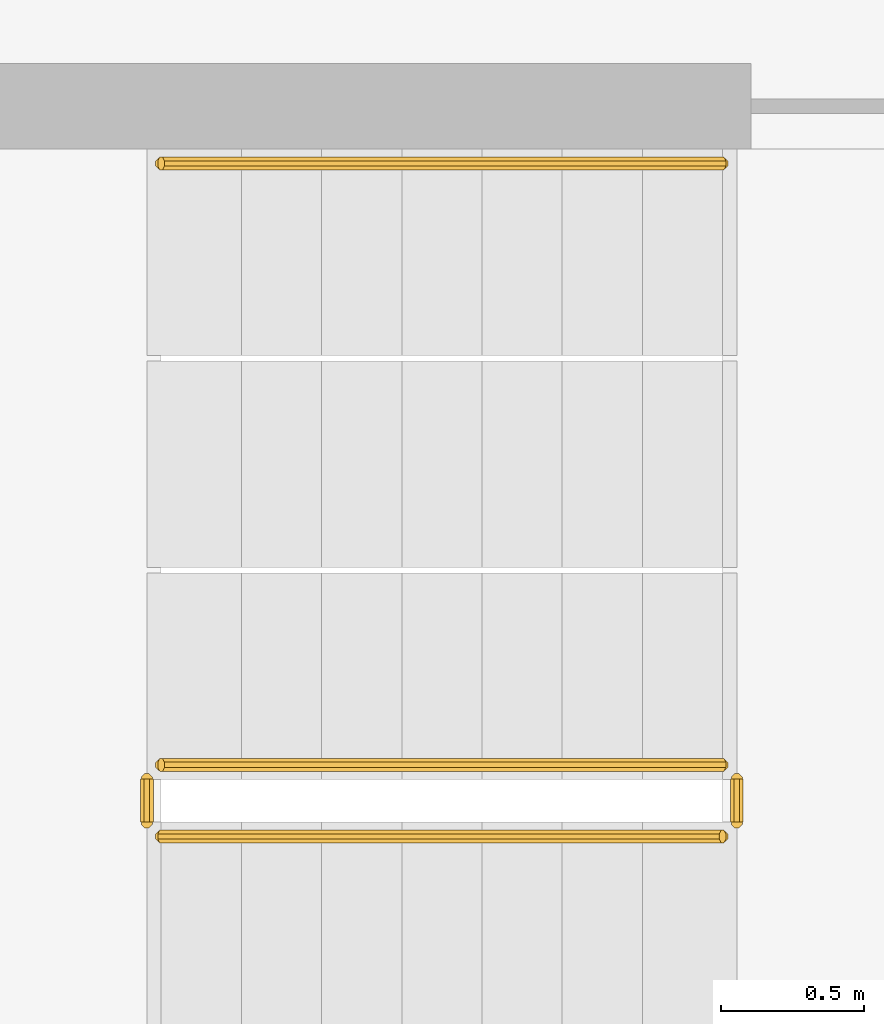
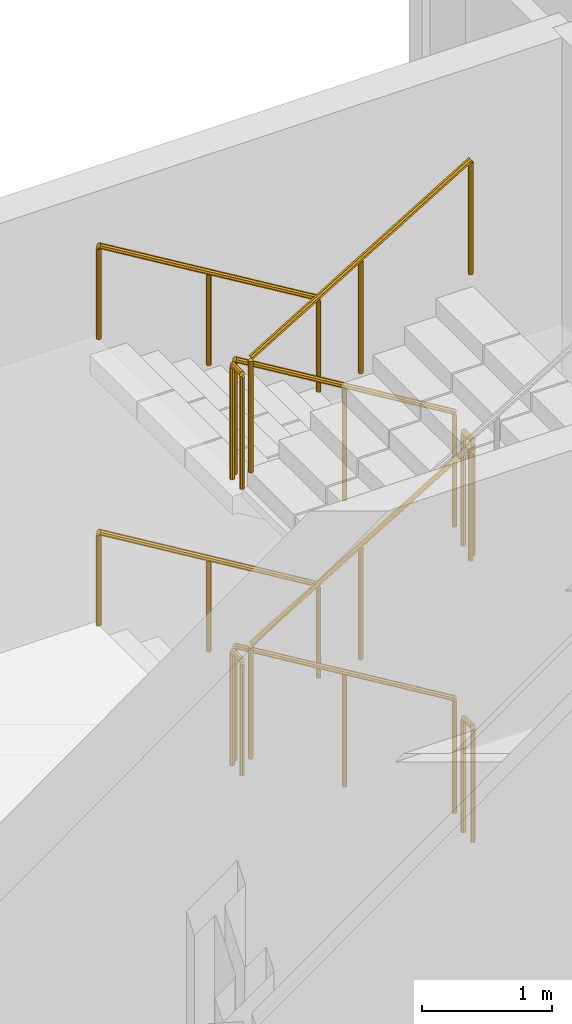
# One storey, part 21 of 32: 10 railings.
"""IFC4 building model written with IfcOpenShell, lengths in metres."""

from ifc_helpers import new_model, si_unit, direction, frame, origin, place, context, subcontext, project, spatial, polyline, outline, extrude, material, type_object, element, save


model = new_model("IFC4")

# Units and contexts
model_context = context("Model", 3, precision=1e-05, world=origin(), true_north=direction((0.0, 1.0)))
body_context = subcontext(model_context, "Body", "Model", "MODEL_VIEW")
ifc_project = project(units=[si_unit("LENGTHUNIT", "METRE"), si_unit("AREAUNIT", "SQUARE_METRE"), si_unit("VOLUMEUNIT", "CUBIC_METRE"), si_unit("PLANEANGLEUNIT", "RADIAN"), si_unit("MASSUNIT", "GRAM", prefix="KILO")], contexts=[model_context])

# Site, building, storey
site_placement = place(None, origin())
site = spatial("IfcSite", under=ifc_project, at=site_placement, CompositionType="ELEMENT")
building_placement = place(site_placement, origin())
building = spatial("IfcBuilding", under=site, at=building_placement, Name="Cormorant Relay Tower", CompositionType="ELEMENT")
storey_placement = place(building_placement, frame((0.0, 0.0, 17.60009765625)))
storey = spatial("IfcBuildingStorey", under=building, at=storey_placement, Name="L03", CompositionType="ELEMENT", Elevation=17.60009765625)

# Railings
ifc_material_1 = material(Name="Steel ASTM A572 Grade 50 (Fy 345 MPa)", Category="steel")
railing_type_1 = type_object("IfcRailingType", Name="Stair guard 1100", PredefinedType="GUARDRAIL", material=ifc_material_1)
railing_1_placement = place(storey_placement, frame((1.60009765625, -18.27490234375, 0.168701171875)))
element("IfcRailing", 1, at=railing_1_placement, inside=storey, type_object=railing_type_1, Name="L03 RK1 stair guard 1", PredefinedType="GUARDRAIL", context=body_context, shape_type="SweptSolid", body=[
    extrude(outline(polyline([(0.022216796875, 0.00927734375), (0.00927734375, 0.022216796875), (-0.00927734375, 0.022216796875), (-0.022216796875, 0.00927734375), (-0.022216796875, -0.00927734375), (-0.00927734375, -0.022216796875), (0.00927734375, -0.022216796875), (0.022216796875, -0.00927734375), (0.022216796875, 0.00927734375)])), frame((0.0, 0.0, 1.076171875), z_axis=(-0.856521883693, 0.0, 0.516110707847), x_axis=(0.0, -1.0, 0.0)), (0.0, 0.0, 1.0), 2.28857421875),
    extrude(outline(polyline([(0.019287109375, 0.008056640625), (0.008056640625, 0.019287109375), (-0.008056640625, 0.019287109375), (-0.019287109375, 0.008056640625), (-0.019287109375, -0.008056640625), (-0.008056640625, -0.019287109375), (0.008056640625, -0.019287109375), (0.019287109375, -0.008056640625), (0.019287109375, 0.008056640625)])), origin(), (0.0, 0.0, 1.0), 1.052001953125),
    extrude(outline(polyline([(0.019287109375, 0.008056640625), (0.008056640625, 0.019287109375), (-0.008056640625, 0.019287109375), (-0.019287109375, 0.008056640625), (-0.019287109375, -0.008056640625), (-0.008056640625, -0.019287109375), (0.008056640625, -0.019287109375), (0.019287109375, -0.008056640625), (0.019287109375, 0.008056640625)])), frame((-0.97998046875, 0.0, 0.590576171875)), (0.0, 0.0, 1.0), 1.052001953125),
    extrude(outline(polyline([(0.019287109375, 0.008056640625), (0.008056640625, 0.019287109375), (-0.008056640625, 0.019287109375), (-0.019287109375, 0.008056640625), (-0.019287109375, -0.008056640625), (-0.008056640625, -0.019287109375), (0.008056640625, -0.019287109375), (0.019287109375, -0.008056640625), (0.019287109375, 0.008056640625)])), frame((-1.960205078125, 0.0, 1.18115234375)), (0.0, 0.0, 1.0), 1.052001953125),
])
railing_2_placement = place(storey_placement, frame((-0.409912109375, -18.324951171875, 1.349853515625)))
element("IfcRailing", 2, at=railing_2_placement, inside=storey, type_object=railing_type_1, Name="L03 RK1 stair guard 2", PredefinedType="GUARDRAIL", context=body_context, shape_type="SweptSolid", body=[
    extrude(outline(polyline([(0.022216796875, 0.00927734375), (0.00927734375, 0.022216796875), (-0.00927734375, 0.022216796875), (-0.022216796875, 0.00927734375), (-0.022216796875, -0.00927734375), (-0.00927734375, -0.022216796875), (0.00927734375, -0.022216796875), (0.022216796875, -0.00927734375), (0.022216796875, 0.00927734375)])), frame((0.0, 0.0, 1.076171875), z_axis=(0.0, -1.0, 0.0), x_axis=(1.0, 0.0, 0.0)), (0.0, 0.0, 1.0), 0.150146484375),
    extrude(outline(polyline([(0.019287109375, 0.008056640625), (0.008056640625, 0.019287109375), (-0.008056640625, 0.019287109375), (-0.019287109375, 0.008056640625), (-0.019287109375, -0.008056640625), (-0.008056640625, -0.019287109375), (0.008056640625, -0.019287109375), (0.019287109375, -0.008056640625), (0.019287109375, 0.008056640625)])), origin(), (0.0, 0.0, 1.0), 1.052001953125),
    extrude(outline(polyline([(0.019287109375, 0.008056640625), (0.008056640625, 0.019287109375), (-0.008056640625, 0.019287109375), (-0.019287109375, 0.008056640625), (-0.019287109375, -0.008056640625), (-0.008056640625, -0.019287109375), (0.008056640625, -0.019287109375), (0.019287109375, -0.008056640625), (0.019287109375, 0.008056640625)])), frame((0.0, -0.150146484375, 0.0)), (0.0, 0.0, 1.0), 1.052001953125),
])
railing_3_placement = place(storey_placement, frame((-0.360107421875, -18.52490234375, 1.5185546875)))
element("IfcRailing", 3, at=railing_3_placement, inside=storey, type_object=railing_type_1, Name="L03 RK1 stair guard 3", PredefinedType="GUARDRAIL", context=body_context, shape_type="SweptSolid", body=[
    extrude(outline(polyline([(0.022216796875, 0.00927734375), (0.00927734375, 0.022216796875), (-0.00927734375, 0.022216796875), (-0.022216796875, 0.00927734375), (-0.022216796875, -0.00927734375), (-0.00927734375, -0.022216796875), (0.00927734375, -0.022216796875), (0.022216796875, -0.00927734375), (0.022216796875, 0.00927734375)])), frame((0.0, 0.0, 1.076171875), z_axis=(0.856474724393, 0.0, 0.516188963923), x_axis=(0.0, 1.0, 0.0)), (0.0, 0.0, 1.0), 2.28857421875),
    extrude(outline(polyline([(0.019287109375, 0.008056640625), (0.008056640625, 0.019287109375), (-0.008056640625, 0.019287109375), (-0.019287109375, 0.008056640625), (-0.019287109375, -0.008056640625), (-0.008056640625, -0.019287109375), (0.008056640625, -0.019287109375), (0.019287109375, -0.008056640625), (0.019287109375, 0.008056640625)])), origin(), (0.0, 0.0, 1.0), 1.052001953125),
    extrude(outline(polyline([(0.019287109375, 0.008056640625), (0.008056640625, 0.019287109375), (-0.008056640625, 0.019287109375), (-0.019287109375, 0.008056640625), (-0.019287109375, -0.008056640625), (-0.008056640625, -0.019287109375), (0.008056640625, -0.019287109375), (0.019287109375, -0.008056640625), (0.019287109375, 0.008056640625)])), frame((0.97998046875, 0.0, 0.5908203125)), (0.0, 0.0, 1.0), 1.052001953125),
    extrude(outline(polyline([(0.019287109375, 0.008056640625), (0.008056640625, 0.019287109375), (-0.008056640625, 0.019287109375), (-0.019287109375, 0.008056640625), (-0.019287109375, -0.008056640625), (-0.008056640625, -0.019287109375), (0.008056640625, -0.019287109375), (0.019287109375, -0.008056640625), (0.019287109375, 0.008056640625)])), frame((1.960205078125, 0.0, 1.181396484375)), (0.0, 0.0, 1.0), 1.052001953125),
])
railing_4_placement = place(storey_placement, frame((1.64990234375, -18.324951171875, 2.699951171875)))
element("IfcRailing", 4, at=railing_4_placement, inside=storey, type_object=railing_type_1, Name="L03 RK1 stair guard 4", PredefinedType="GUARDRAIL", context=body_context, shape_type="SweptSolid", body=[
    extrude(outline(polyline([(0.022216796875, 0.00927734375), (0.00927734375, 0.022216796875), (-0.00927734375, 0.022216796875), (-0.022216796875, 0.00927734375), (-0.022216796875, -0.00927734375), (-0.00927734375, -0.022216796875), (0.00927734375, -0.022216796875), (0.022216796875, -0.00927734375), (0.022216796875, 0.00927734375)])), frame((0.0, 0.0, 1.076171875), z_axis=(0.0, -1.0, 0.0), x_axis=(1.0, 0.0, 0.0)), (0.0, 0.0, 1.0), 0.150146484375),
    extrude(outline(polyline([(0.019287109375, 0.008056640625), (0.008056640625, 0.019287109375), (-0.008056640625, 0.019287109375), (-0.019287109375, 0.008056640625), (-0.019287109375, -0.008056640625), (-0.008056640625, -0.019287109375), (0.008056640625, -0.019287109375), (0.019287109375, -0.008056640625), (0.019287109375, 0.008056640625)])), origin(), (0.0, 0.0, 1.0), 1.052001953125),
    extrude(outline(polyline([(0.019287109375, 0.008056640625), (0.008056640625, 0.019287109375), (-0.008056640625, 0.019287109375), (-0.019287109375, 0.008056640625), (-0.019287109375, -0.008056640625), (-0.008056640625, -0.019287109375), (0.008056640625, -0.019287109375), (0.019287109375, -0.008056640625), (0.019287109375, 0.008056640625)])), frame((0.0, -0.150146484375, 0.0)), (0.0, 0.0, 1.0), 1.052001953125),
])
railing_5_placement = place(storey_placement, frame((1.60009765625, -18.27490234375, 2.86865234375)))
element("IfcRailing", 5, at=railing_5_placement, inside=storey, type_object=railing_type_1, Name="L03 RK1 stair guard 5", PredefinedType="GUARDRAIL", context=body_context, shape_type="SweptSolid", body=[
    extrude(outline(polyline([(0.022216796875, 0.00927734375), (0.00927734375, 0.022216796875), (-0.00927734375, 0.022216796875), (-0.022216796875, 0.00927734375), (-0.022216796875, -0.00927734375), (-0.00927734375, -0.022216796875), (0.00927734375, -0.022216796875), (0.022216796875, -0.00927734375), (0.022216796875, 0.00927734375)])), frame((0.0, 0.0, 1.076171875), z_axis=(-0.856521883693, 0.0, 0.516110707847), x_axis=(0.0, -1.0, 0.0)), (0.0, 0.0, 1.0), 2.28857421875),
    extrude(outline(polyline([(0.019287109375, 0.008056640625), (0.008056640625, 0.019287109375), (-0.008056640625, 0.019287109375), (-0.019287109375, 0.008056640625), (-0.019287109375, -0.008056640625), (-0.008056640625, -0.019287109375), (0.008056640625, -0.019287109375), (0.019287109375, -0.008056640625), (0.019287109375, 0.008056640625)])), origin(), (0.0, 0.0, 1.0), 1.052001953125),
    extrude(outline(polyline([(0.019287109375, 0.008056640625), (0.008056640625, 0.019287109375), (-0.008056640625, 0.019287109375), (-0.019287109375, 0.008056640625), (-0.019287109375, -0.008056640625), (-0.008056640625, -0.019287109375), (0.008056640625, -0.019287109375), (0.019287109375, -0.008056640625), (0.019287109375, 0.008056640625)])), frame((-0.97998046875, 0.0, 0.590576171875)), (0.0, 0.0, 1.0), 1.052001953125),
    extrude(outline(polyline([(0.019287109375, 0.008056640625), (0.008056640625, 0.019287109375), (-0.008056640625, 0.019287109375), (-0.019287109375, 0.008056640625), (-0.019287109375, -0.008056640625), (-0.008056640625, -0.019287109375), (0.008056640625, -0.019287109375), (0.019287109375, -0.008056640625), (0.019287109375, 0.008056640625)])), frame((-1.960205078125, 0.0, 1.18115234375)), (0.0, 0.0, 1.0), 1.052001953125),
])
railing_6_placement = place(storey_placement, frame((-0.409912109375, -18.324951171875, 4.0498046875)))
element("IfcRailing", 6, at=railing_6_placement, inside=storey, type_object=railing_type_1, Name="L03 RK1 stair guard 6", PredefinedType="GUARDRAIL", context=body_context, shape_type="SweptSolid", body=[
    extrude(outline(polyline([(0.022216796875, 0.00927734375), (0.00927734375, 0.022216796875), (-0.00927734375, 0.022216796875), (-0.022216796875, 0.00927734375), (-0.022216796875, -0.00927734375), (-0.00927734375, -0.022216796875), (0.00927734375, -0.022216796875), (0.022216796875, -0.00927734375), (0.022216796875, 0.00927734375)])), frame((0.0, 0.0, 1.076171875), z_axis=(0.0, -1.0, 0.0), x_axis=(1.0, 0.0, 0.0)), (0.0, 0.0, 1.0), 0.150146484375),
    extrude(outline(polyline([(0.019287109375, 0.008056640625), (0.008056640625, 0.019287109375), (-0.008056640625, 0.019287109375), (-0.019287109375, 0.008056640625), (-0.019287109375, -0.008056640625), (-0.008056640625, -0.019287109375), (0.008056640625, -0.019287109375), (0.019287109375, -0.008056640625), (0.019287109375, 0.008056640625)])), origin(), (0.0, 0.0, 1.0), 1.052001953125),
    extrude(outline(polyline([(0.019287109375, 0.008056640625), (0.008056640625, 0.019287109375), (-0.008056640625, 0.019287109375), (-0.019287109375, 0.008056640625), (-0.019287109375, -0.008056640625), (-0.008056640625, -0.019287109375), (0.008056640625, -0.019287109375), (0.019287109375, -0.008056640625), (0.019287109375, 0.008056640625)])), frame((0.0, -0.150146484375, 0.0)), (0.0, 0.0, 1.0), 1.052001953125),
])
railing_7_placement = place(storey_placement, frame((-0.360107421875, -18.52490234375, 4.21875)))
element("IfcRailing", 7, at=railing_7_placement, inside=storey, type_object=railing_type_1, Name="L03 RK1 stair guard 7", PredefinedType="GUARDRAIL", context=body_context, shape_type="SweptSolid", body=[
    extrude(outline(polyline([(0.022216796875, 0.00927734375), (0.00927734375, 0.022216796875), (-0.00927734375, 0.022216796875), (-0.022216796875, 0.00927734375), (-0.022216796875, -0.00927734375), (-0.00927734375, -0.022216796875), (0.00927734375, -0.022216796875), (0.022216796875, -0.00927734375), (0.022216796875, 0.00927734375)])), frame((0.0, 0.0, 1.076171875), z_axis=(0.856521883693, 0.0, 0.516110707847), x_axis=(0.0, 1.0, 0.0)), (0.0, 0.0, 1.0), 2.28857421875),
    extrude(outline(polyline([(0.019287109375, 0.008056640625), (0.008056640625, 0.019287109375), (-0.008056640625, 0.019287109375), (-0.019287109375, 0.008056640625), (-0.019287109375, -0.008056640625), (-0.008056640625, -0.019287109375), (0.008056640625, -0.019287109375), (0.019287109375, -0.008056640625), (0.019287109375, 0.008056640625)])), origin(), (0.0, 0.0, 1.0), 1.052001953125),
    extrude(outline(polyline([(0.019287109375, 0.008056640625), (0.008056640625, 0.019287109375), (-0.008056640625, 0.019287109375), (-0.019287109375, 0.008056640625), (-0.019287109375, -0.008056640625), (-0.008056640625, -0.019287109375), (0.008056640625, -0.019287109375), (0.019287109375, -0.008056640625), (0.019287109375, 0.008056640625)])), frame((0.97998046875, 0.0, 0.590576171875)), (0.0, 0.0, 1.0), 1.052001953125),
    extrude(outline(polyline([(0.019287109375, 0.008056640625), (0.008056640625, 0.019287109375), (-0.008056640625, 0.019287109375), (-0.019287109375, 0.008056640625), (-0.019287109375, -0.008056640625), (-0.008056640625, -0.019287109375), (0.008056640625, -0.019287109375), (0.019287109375, -0.008056640625), (0.019287109375, 0.008056640625)])), frame((1.960205078125, 0.0, 1.18115234375)), (0.0, 0.0, 1.0), 1.052001953125),
])
railing_8_placement = place(storey_placement, frame((1.64990234375, -18.324951171875, 0.0)))
element("IfcRailing", 8, at=railing_8_placement, inside=storey, type_object=railing_type_1, Name="L03 RK1 stair guard 8", PredefinedType="GUARDRAIL", context=body_context, shape_type="SweptSolid", body=[
    extrude(outline(polyline([(0.022216796875, 0.00927734375), (0.00927734375, 0.022216796875), (-0.00927734375, 0.022216796875), (-0.022216796875, 0.00927734375), (-0.022216796875, -0.00927734375), (-0.00927734375, -0.022216796875), (0.00927734375, -0.022216796875), (0.022216796875, -0.00927734375), (0.022216796875, 0.00927734375)])), frame((0.0, 0.0, 1.076171875), z_axis=(0.0, -1.0, 0.0), x_axis=(1.0, 0.0, 0.0)), (0.0, 0.0, 1.0), 0.150146484375),
    extrude(outline(polyline([(0.019287109375, 0.008056640625), (0.008056640625, 0.019287109375), (-0.008056640625, 0.019287109375), (-0.019287109375, 0.008056640625), (-0.019287109375, -0.008056640625), (-0.008056640625, -0.019287109375), (0.008056640625, -0.019287109375), (0.019287109375, -0.008056640625), (0.019287109375, 0.008056640625)])), origin(), (0.0, 0.0, 1.0), 1.052001953125),
    extrude(outline(polyline([(0.019287109375, 0.008056640625), (0.008056640625, 0.019287109375), (-0.008056640625, 0.019287109375), (-0.019287109375, 0.008056640625), (-0.019287109375, -0.008056640625), (-0.008056640625, -0.019287109375), (0.008056640625, -0.019287109375), (0.019287109375, -0.008056640625), (0.019287109375, 0.008056640625)])), frame((0.0, -0.150146484375, 0.0)), (0.0, 0.0, 1.0), 1.052001953125),
])
ifc_material_2 = material(Name="Steel ASTM A572 Grade 50 (Fy 345 MPa)", Category="steel")
railing_type_2 = type_object("IfcRailingType", Name="Stair handrail 900", PredefinedType="HANDRAIL", material=ifc_material_2)
for number, where, name in (
    (9, (1.60009765625, -16.175048828125, 0.168701171875), "L03 RK1 stair handrail 1"),
    (10, (1.60009765625, -16.175048828125, 2.86865234375), "L03 RK1 stair handrail 3"),
):
    element("IfcRailing", number, at=place(storey_placement, frame(where)), inside=storey, type_object=railing_type_2, Name=name, PredefinedType="HANDRAIL", context=body_context, shape_type="SweptSolid", body=[
        extrude(outline(polyline([(0.022216796875, 0.00927734375), (0.00927734375, 0.022216796875), (-0.00927734375, 0.022216796875), (-0.022216796875, 0.00927734375), (-0.022216796875, -0.00927734375), (-0.00927734375, -0.022216796875), (0.00927734375, -0.022216796875), (0.022216796875, -0.00927734375), (0.022216796875, 0.00927734375)])), frame((0.0, 0.0, 0.8759765625), z_axis=(-0.856521883693, 0.0, 0.516110707847), x_axis=(0.0, -1.0, 0.0)), (0.0, 0.0, 1.0), 2.28857421875),
        extrude(outline(polyline([(0.019287109375, 0.008056640625), (0.008056640625, 0.019287109375), (-0.008056640625, 0.019287109375), (-0.019287109375, 0.008056640625), (-0.019287109375, -0.008056640625), (-0.008056640625, -0.019287109375), (0.008056640625, -0.019287109375), (0.019287109375, -0.008056640625), (0.019287109375, 0.008056640625)])), origin(), (0.0, 0.0, 1.0), 0.851806640625),
        extrude(outline(polyline([(0.019287109375, 0.008056640625), (0.008056640625, 0.019287109375), (-0.008056640625, 0.019287109375), (-0.019287109375, 0.008056640625), (-0.019287109375, -0.008056640625), (-0.008056640625, -0.019287109375), (0.008056640625, -0.019287109375), (0.019287109375, -0.008056640625), (0.019287109375, 0.008056640625)])), frame((-0.97998046875, 0.0, 0.590576171875)), (0.0, 0.0, 1.0), 0.851806640625),
        extrude(outline(polyline([(0.019287109375, 0.008056640625), (0.008056640625, 0.019287109375), (-0.008056640625, 0.019287109375), (-0.019287109375, 0.008056640625), (-0.019287109375, -0.008056640625), (-0.008056640625, -0.019287109375), (0.008056640625, -0.019287109375), (0.019287109375, -0.008056640625), (0.019287109375, 0.008056640625)])), frame((-1.960205078125, 0.0, 1.18115234375)), (0.0, 0.0, 1.0), 0.851806640625),
    ])

save(model, "model.ifc")
